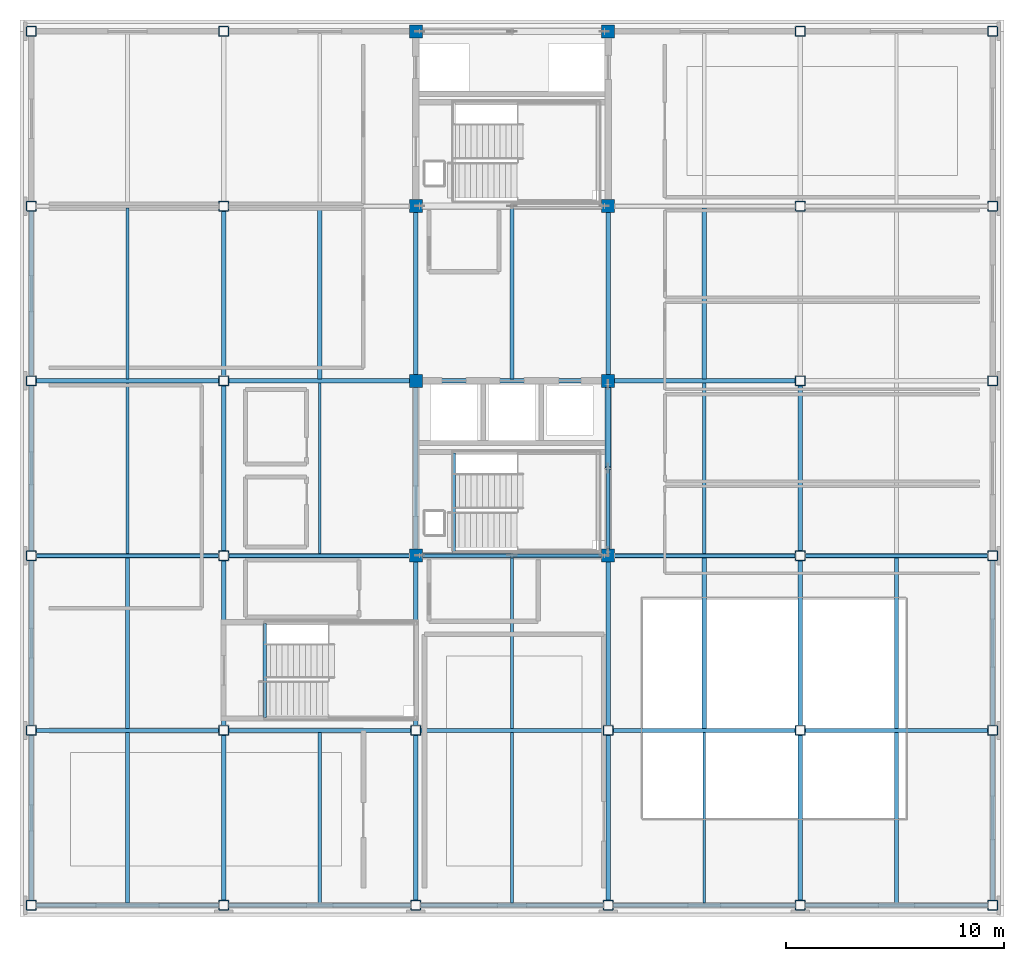
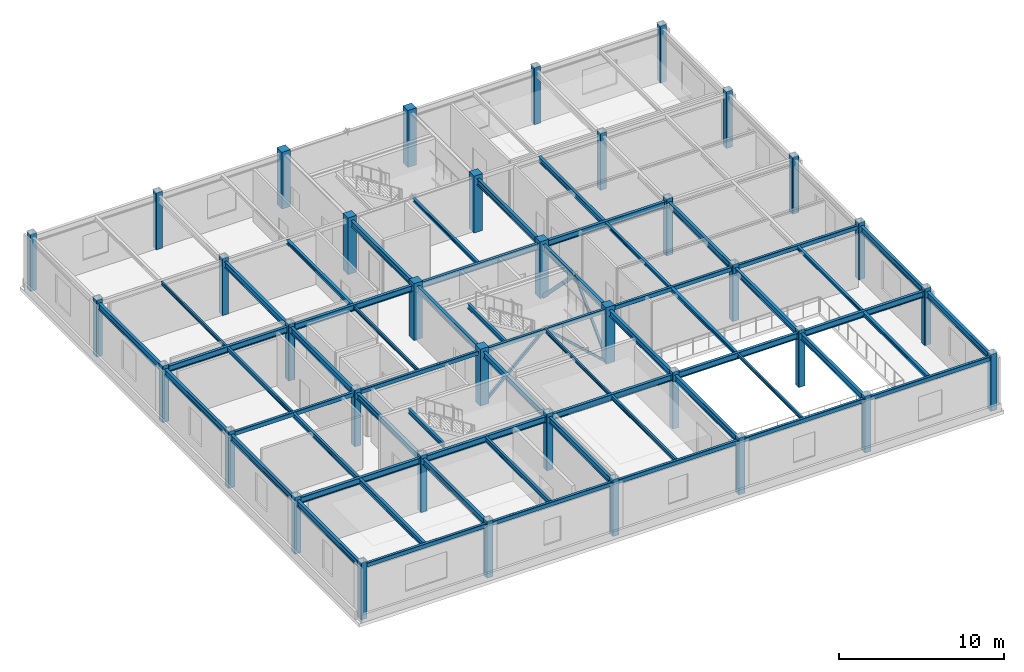
# One storey, part 1 of 18: 58 beams, 36 columns, 4 members.
"""IFC4 building model written with IfcOpenShell, lengths in metres."""

from ifc_helpers import new_model, si_unit, direction, frame, origin, origin_2d, place, context, subcontext, project, spatial, rectangle, hollow_rectangle, hollow_circle, i_section, extrude, material, material_profile, profile_set, type_object, element, save


model = new_model("IFC4")

# Units and contexts
model_context = context("Model", 3, precision=1e-05, world=origin(), true_north=direction((0.0, 1.0)))
body_context = subcontext(model_context, "Body", "Model", "MODEL_VIEW")
ifc_project = project(units=[si_unit("LENGTHUNIT", "METRE"), si_unit("AREAUNIT", "SQUARE_METRE"), si_unit("VOLUMEUNIT", "CUBIC_METRE"), si_unit("PLANEANGLEUNIT", "RADIAN"), si_unit("MASSUNIT", "GRAM", prefix="KILO")], contexts=[model_context])

# Site, building, storey
site_placement = place(None, origin())
site = spatial("IfcSite", under=ifc_project, at=site_placement, CompositionType="ELEMENT")
building_placement = place(site_placement, origin())
building = spatial("IfcBuilding", under=site, at=building_placement, Name="Zhaolan Boulevard Law Courts", CompositionType="ELEMENT")
storey_placement = place(building_placement, frame((0.0, 0.0, 33.0)))
storey = spatial("IfcBuildingStorey", under=building, at=storey_placement, Name="L07", CompositionType="ELEMENT", Elevation=33.0)

# Columns
ifc_material_1 = material(Name="Structural steel Q355B", Category="steel")
ifc_material_profile_1 = material_profile(ifc_material_1, hollow_rectangle(XDim=0.449951171875, YDim=0.449951171875, WallThickness=0.01806640625, InnerFilletRadius=0.01806640625, OuterFilletRadius=0.035888671875, at=origin_2d()), Name="BOX450x450x18")
ifc_profile_set_1 = profile_set([ifc_material_profile_1], Name="Structural steel Q355B")
column_type_1 = type_object("IfcColumnType", Name="COL BOX450", PredefinedType="COLUMN", material=ifc_profile_set_1)
for number, where, z_axis, x_axis, name in (
    (1, (0.0, 30.0, 0.0), (0.0, 0.0, 1.0), (1.0, 0.0, 0.0), "Column C-1E (L07)"),
    (2, (0.0, 38.0, 0.0), (0.0, 0.0, 1.0), (1.0, 0.0, 0.0), "Column C-1F (L07)"),
    (3, (0.0, 46.0, 0.0), (0.0, 0.0, 1.0), (1.0, 0.0, 0.0), "Column C-1G (L07)"),
    (4, (0.0, 54.0, 0.0), (0.0, 0.0, 1.0), (1.0, 0.0, 0.0), "Column C-1H (L07)"),
    (5, (0.0, 62.0, 0.0), (0.0, 0.0, 1.0), (1.0, 0.0, 0.0), "Column C-1J (L07)"),
    (6, (0.0, 70.0, 0.0), (0.0, 0.0, 1.0), (1.0, 0.0, 0.0), "Column C-1K (L07)"),
    (7, (8.800048828125, 30.0, 0.0), (0.0, 0.0, 1.0), (1.0, 0.0, 0.0), "Column C-2E (L07)"),
    (8, (8.800048828125, 38.0, 0.0), (0.0, 0.0, 1.0), (1.0, 0.0, 0.0), "Column C-2F (L07)"),
    (9, (8.800048828125, 46.0, 0.0), (0.0, 0.0, 1.0), (1.0, 0.0, 0.0), "Column C-2G (L07)"),
    (10, (8.800048828125, 54.0, 0.0), (0.0, 0.0, 1.0), (1.0, 0.0, 0.0), "Column C-2H (L07)"),
    (11, (8.800048828125, 62.0, 0.0), (0.0, 0.0, 1.0), (1.0, 0.0, 0.0), "Column C-2J (L07)"),
    (12, (8.800048828125, 70.0, 0.0), (0.0, 0.0, 1.0), (1.0, 0.0, 0.0), "Column C-2K (L07)"),
    (13, (17.60009765625, 30.0, 0.0), (0.0, 0.0, 1.0), (1.0, 0.0, 0.0), "Column C-3E (L07)"),
    (14, (17.60009765625, 38.0, 0.0), (0.0, 0.0, 1.0), (1.0, 0.0, 0.0), "Column C-3F (L07)"),
    (15, (26.39990234375, 30.0, 0.0), (0.0, 0.0, 1.0), (1.0, 0.0, 0.0), "Column C-4E (L07)"),
    (16, (26.39990234375, 38.0, 0.0), (0.0, 0.0, 1.0), (1.0, 0.0, 0.0), "Column C-4F (L07)"),
    (17, (35.199951171875, 30.0, 0.0), (0.0, 0.0, 1.0), (1.0, 0.0, 0.0), "Column C-5E (L07)"),
    (18, (35.199951171875, 38.0, 0.0), (0.0, 0.0, 1.0), (1.0, 0.0, 0.0), "Column C-5F (L07)"),
    (19, (35.199951171875, 46.0, 0.0), (0.0, 0.0, 1.0), (1.0, 0.0, 0.0), "Column C-5G (L07)"),
    (20, (35.199951171875, 54.0, 0.0), (0.0, 0.0, 1.0), (1.0, 0.0, 0.0), "Column C-5H (L07)"),
    (21, (35.199951171875, 62.0, 0.0), (0.0, 0.0, 1.0), (1.0, 0.0, 0.0), "Column C-5J (L07)"),
    (22, (35.199951171875, 70.0, 0.0), (0.0, 0.0, 1.0), (1.0, 0.0, 0.0), "Column C-5K (L07)"),
    (23, (44.0, 30.0, 0.0), (0.0, 0.0, 1.0), (1.0, 0.0, 0.0), "Column C-6E (L07)"),
    (24, (44.0, 38.0, 0.0), (0.0, 0.0, 1.0), (1.0, 0.0, 0.0), "Column C-6F (L07)"),
    (25, (44.0, 46.0, 0.0), (0.0, 0.0, 1.0), (1.0, 0.0, 0.0), "Column C-6G (L07)"),
    (26, (44.0, 54.0, 0.0), (0.0, 0.0, 1.0), (1.0, 0.0, 0.0), "Column C-6H (L07)"),
    (27, (44.0, 62.0, 0.0), (0.0, 0.0, 1.0), (1.0, 0.0, 0.0), "Column C-6J (L07)"),
    (28, (44.0, 70.0, 0.0), (0.0, 0.0, 1.0), (1.0, 0.0, 0.0), "Column C-6K (L07)"),
):
    element("IfcColumn", number, at=place(storey_placement, frame(where, z_axis=z_axis, x_axis=x_axis)), inside=storey, type_object=column_type_1, Name=name, PredefinedType="COLUMN", context=body_context, shape_type="SweptSolid", body=[
        extrude(hollow_rectangle(XDim=0.449951171875, YDim=0.449951171875, WallThickness=0.01806640625, InnerFilletRadius=0.01806640625, OuterFilletRadius=0.035888671875, at=origin_2d()), origin(), (0.0, 0.0, 1.0), 4.199951171875),
    ])
ifc_material_2 = material(Name="Concrete C50", Category="concrete")
ifc_material_profile_2 = material_profile(ifc_material_2, rectangle(XDim=0.60009765625, YDim=0.60009765625, at=origin_2d()), Name="RC600x600")
ifc_profile_set_2 = profile_set([ifc_material_profile_2], Name="Concrete C50")
column_type_2 = type_object("IfcColumnType", Name="COL RC600", PredefinedType="COLUMN", material=ifc_profile_set_2)
for number, where, z_axis, x_axis, name in (
    (29, (17.60009765625, 46.0, 0.0), (0.0, 0.0, 1.0), (1.0, 0.0, 0.0), "Column C-3G (L07)"),
    (30, (17.60009765625, 54.0, 0.0), (0.0, 0.0, 1.0), (1.0, 0.0, 0.0), "Column C-3H (L07)"),
    (31, (17.60009765625, 62.0, 0.0), (0.0, 0.0, 1.0), (1.0, 0.0, 0.0), "Column C-3J (L07)"),
    (32, (17.60009765625, 70.0, 0.0), (0.0, 0.0, 1.0), (1.0, 0.0, 0.0), "Column C-3K (L07)"),
    (33, (26.39990234375, 46.0, 0.0), (0.0, 0.0, 1.0), (1.0, 0.0, 0.0), "Column C-4G (L07)"),
    (34, (26.39990234375, 54.0, 0.0), (0.0, 0.0, 1.0), (1.0, 0.0, 0.0), "Column C-4H (L07)"),
    (35, (26.39990234375, 62.0, 0.0), (0.0, 0.0, 1.0), (1.0, 0.0, 0.0), "Column C-4J (L07)"),
    (36, (26.39990234375, 70.0, 0.0), (0.0, 0.0, 1.0), (1.0, 0.0, 0.0), "Column C-4K (L07)"),
):
    element("IfcColumn", number, at=place(storey_placement, frame(where, z_axis=z_axis, x_axis=x_axis)), inside=storey, type_object=column_type_2, Name=name, PredefinedType="COLUMN", context=body_context, shape_type="SweptSolid", body=[
        extrude(rectangle(XDim=0.60009765625, YDim=0.60009765625, at=origin_2d()), origin(), (0.0, 0.0, 1.0), 4.199951171875),
    ])

# Members
ifc_material_3 = material(Name="Structural steel Q355B", Category="steel")
ifc_material_profile_3 = material_profile(ifc_material_3, hollow_circle(Radius=0.136474609375, WallThickness=0.010009765625, at=origin_2d()), Name="CHS273x10")
ifc_profile_set_3 = profile_set([ifc_material_profile_3], Name="Structural steel Q355B")
member_type_1 = type_object("IfcMemberType", Name="BRACE CHS273", PredefinedType="BRACE", material=ifc_profile_set_3)
member_1_placement = place(storey_placement, frame((26.39990234375, 53.820068359375, 0.030029296875), z_axis=(0.0, -0.700674230962, 0.713481339676), x_axis=(1.0, 0.0, 0.0)))
element("IfcMember", 37, at=member_1_placement, inside=storey, type_object=member_type_1, Name="Core Brace BR-W1-L07-E2", PredefinedType="BRACE", context=body_context, shape_type="SweptSolid", body=[
    extrude(hollow_circle(Radius=0.136474609375, WallThickness=0.010009765625, at=origin_2d()), origin(), (0.0, 0.0, 1.0), 5.451904296875),
])
ifc_material_4 = material(Name="Structural steel Q355B", Category="steel")
ifc_material_profile_4 = material_profile(ifc_material_4, hollow_rectangle(XDim=0.159912109375, YDim=0.159912109375, WallThickness=0.008056640625, InnerFilletRadius=0.008056640625, OuterFilletRadius=0.01611328125, at=origin_2d()), Name="HSS160x160x8")
ifc_profile_set_4 = profile_set([ifc_material_profile_4], Name="Structural steel Q355B")
member_type_2 = type_object("IfcMemberType", Name="BRACE HSS160", PredefinedType="BRACE", material=ifc_profile_set_4)
member_2_placement = place(storey_placement, frame((26.219970703125, 46.0, 0.030029296875), z_axis=(-0.735277847563, 0.0, 0.677765805336), x_axis=(0.0, -1.0, 0.0)))
element("IfcMember", 38, at=member_2_placement, inside=storey, type_object=member_type_2, Name="Core Brace BR-W1-L07-S2", PredefinedType="BRACE", context=body_context, shape_type="SweptSolid", body=[
    extrude(hollow_rectangle(XDim=0.159912109375, YDim=0.159912109375, WallThickness=0.008056640625, InnerFilletRadius=0.008056640625, OuterFilletRadius=0.01611328125, at=origin_2d()), origin(), (0.0, 0.0, 1.0), 5.7392578125),
])
member_3_placement = place(storey_placement, frame((26.39990234375, 46.179931640625, 0.030029296875), z_axis=(0.0, 0.700674230962, 0.713481339676), x_axis=(-1.0, 0.0, 0.0)))
element("IfcMember", 39, at=member_3_placement, inside=storey, type_object=member_type_2, Name="Core Brace BR-W1-L07-E1", PredefinedType="BRACE", context=body_context, shape_type="SweptSolid", body=[
    extrude(hollow_rectangle(XDim=0.159912109375, YDim=0.159912109375, WallThickness=0.008056640625, InnerFilletRadius=0.008056640625, OuterFilletRadius=0.01611328125, at=origin_2d()), origin(), (0.0, 0.0, 1.0), 5.451904296875),
])
ifc_material_5 = material(Name="Structural steel Q355B", Category="steel")
ifc_material_profile_5 = material_profile(ifc_material_5, hollow_rectangle(XDim=0.179931640625, YDim=0.179931640625, WallThickness=0.008056640625, InnerFilletRadius=0.008056640625, OuterFilletRadius=0.01611328125, at=origin_2d()), Name="HSS180x180x8")
ifc_profile_set_5 = profile_set([ifc_material_profile_5], Name="Structural steel Q355B")
member_type_3 = type_object("IfcMemberType", Name="BRACE HSS180", PredefinedType="BRACE", material=ifc_profile_set_5)
member_4_placement = place(storey_placement, frame((17.780029296875, 46.0, 0.030029296875), z_axis=(0.735277847563, 0.0, 0.677765805336), x_axis=(0.0, 1.0, 0.0)))
element("IfcMember", 40, at=member_4_placement, inside=storey, type_object=member_type_3, Name="Core Brace BR-W1-L07-S1", PredefinedType="BRACE", context=body_context, shape_type="SweptSolid", body=[
    extrude(hollow_rectangle(XDim=0.179931640625, YDim=0.179931640625, WallThickness=0.008056640625, InnerFilletRadius=0.008056640625, OuterFilletRadius=0.01611328125, at=origin_2d()), origin(), (0.0, 0.0, 1.0), 5.7392578125),
])

# Beams
ifc_material_6 = material(Name="Structural steel Q355B", Category="steel")
ifc_material_profile_6 = material_profile(ifc_material_6, i_section(OverallWidth=0.199951171875, OverallDepth=0.449951171875, WebThickness=0.009033203125, FlangeThickness=0.013916015625, FilletRadius=0.01611328125, at=origin_2d()), Name="HN450x200")
ifc_profile_set_6 = profile_set([ifc_material_profile_6], Name="Structural steel Q355B")
beam_type_1 = type_object("IfcBeamType", Name="GIRDER HN450", PredefinedType="BEAM", material=ifc_profile_set_6)
beam_1_placement = place(storey_placement, frame((0.220947265625, 38.0, 3.722900390625), z_axis=(1.0, 0.0, 0.0), x_axis=(0.0, 1.0, 0.0)))
element("IfcBeam", 41, at=beam_1_placement, inside=storey, type_object=beam_type_1, Name="Beam BX-L08-1-2-F", PredefinedType="BEAM", context=body_context, shape_type="SweptSolid", body=[
    extrude(i_section(OverallWidth=0.199951171875, OverallDepth=0.449951171875, WebThickness=0.009033203125, FlangeThickness=0.013916015625, FilletRadius=0.01611328125, at=origin_2d()), origin(), (0.0, 0.0, 1.0), 8.358154296875),
])
for number, where, z_axis, x_axis, name in (
    (42, (9.02099609375, 38.0, 3.722900390625), (1.0, 0.0, 0.0), (0.0, 1.0, 0.0), "Beam BX-L08-2-3-F"),
    (43, (17.821044921875, 38.0, 3.722900390625), (1.0, 0.0, 0.0), (0.0, 1.0, 0.0), "Beam BX-L08-3-4-F"),
    (44, (26.62109375, 38.0, 3.722900390625), (1.0, 0.0, 0.0), (0.0, 1.0, 0.0), "Beam BX-L08-4-5-F"),
):
    element("IfcBeam", number, at=place(storey_placement, frame(where, z_axis=z_axis, x_axis=x_axis)), inside=storey, type_object=beam_type_1, Name=name, PredefinedType="BEAM", context=body_context, shape_type="SweptSolid", body=[
        extrude(i_section(OverallWidth=0.199951171875, OverallDepth=0.449951171875, WebThickness=0.009033203125, FlangeThickness=0.013916015625, FilletRadius=0.01611328125, at=origin_2d()), origin(), (0.0, 0.0, 1.0), 8.35791015625),
    ])
for number, where, z_axis, x_axis, name in (
    (45, (35.4208984375, 38.0, 3.722900390625), (1.0, 0.0, 0.0), (0.0, 1.0, 0.0), "Beam BX-L08-5-6-F"),
    (46, (0.220947265625, 54.0, 3.722900390625), (1.0, 0.0, 0.0), (0.0, 1.0, 0.0), "Beam BX-L08-1-2-H"),
):
    element("IfcBeam", number, at=place(storey_placement, frame(where, z_axis=z_axis, x_axis=x_axis)), inside=storey, type_object=beam_type_1, Name=name, PredefinedType="BEAM", context=body_context, shape_type="SweptSolid", body=[
        extrude(i_section(OverallWidth=0.199951171875, OverallDepth=0.449951171875, WebThickness=0.009033203125, FlangeThickness=0.013916015625, FilletRadius=0.01611328125, at=origin_2d()), origin(), (0.0, 0.0, 1.0), 8.358154296875),
    ])
beam_2_placement = place(storey_placement, frame((9.02099609375, 54.0, 3.722900390625), z_axis=(1.0, 0.0, 0.0), x_axis=(0.0, 1.0, 0.0)))
element("IfcBeam", 47, at=beam_2_placement, inside=storey, type_object=beam_type_1, Name="Beam BX-L08-2-3-H", PredefinedType="BEAM", context=body_context, shape_type="SweptSolid", body=[
    extrude(i_section(OverallWidth=0.199951171875, OverallDepth=0.449951171875, WebThickness=0.009033203125, FlangeThickness=0.013916015625, FilletRadius=0.01611328125, at=origin_2d()), origin(), (0.0, 0.0, 1.0), 8.282958984375),
])
beam_3_placement = place(storey_placement, frame((17.89599609375, 54.0, 3.722900390625), z_axis=(1.0, 0.0, 0.0), x_axis=(0.0, 1.0, 0.0)))
element("IfcBeam", 48, at=beam_3_placement, inside=storey, type_object=beam_type_1, Name="Beam BX-L08-3-4-H", PredefinedType="BEAM", context=body_context, shape_type="SweptSolid", body=[
    extrude(i_section(OverallWidth=0.199951171875, OverallDepth=0.449951171875, WebThickness=0.009033203125, FlangeThickness=0.013916015625, FilletRadius=0.01611328125, at=origin_2d()), origin(), (0.0, 0.0, 1.0), 8.2080078125),
])
beam_4_placement = place(storey_placement, frame((26.696044921875, 54.0, 3.722900390625), z_axis=(1.0, 0.0, 0.0), x_axis=(0.0, 1.0, 0.0)))
element("IfcBeam", 49, at=beam_4_placement, inside=storey, type_object=beam_type_1, Name="Beam BX-L08-4-5-H", PredefinedType="BEAM", context=body_context, shape_type="SweptSolid", body=[
    extrude(i_section(OverallWidth=0.199951171875, OverallDepth=0.449951171875, WebThickness=0.009033203125, FlangeThickness=0.013916015625, FilletRadius=0.01611328125, at=origin_2d()), origin(), (0.0, 0.0, 1.0), 8.282958984375),
])
for number, where, z_axis, x_axis, name in (
    (50, (0.0, 30.220947265625, 3.722900390625), (0.0, 1.0, 0.0), (-1.0, 0.0, 0.0), "Beam BY-L08-1-E-F"),
    (51, (0.0, 38.220947265625, 3.722900390625), (0.0, 1.0, 0.0), (-1.0, 0.0, 0.0), "Beam BY-L08-1-F-G"),
    (52, (0.0, 46.220947265625, 3.722900390625), (0.0, 1.0, 0.0), (-1.0, 0.0, 0.0), "Beam BY-L08-1-G-H"),
    (53, (0.0, 54.220947265625, 3.722900390625), (0.0, 1.0, 0.0), (-1.0, 0.0, 0.0), "Beam BY-L08-1-H-J"),
    (54, (8.800048828125, 30.220947265625, 3.722900390625), (0.0, 1.0, 0.0), (-1.0, 0.0, 0.0), "Beam BY-L08-2-E-F"),
    (55, (8.800048828125, 38.220947265625, 3.722900390625), (0.0, 1.0, 0.0), (-1.0, 0.0, 0.0), "Beam BY-L08-2-F-G"),
    (56, (8.800048828125, 46.220947265625, 3.722900390625), (0.0, 1.0, 0.0), (-1.0, 0.0, 0.0), "Beam BY-L08-2-G-H"),
    (57, (8.800048828125, 54.220947265625, 3.722900390625), (0.0, 1.0, 0.0), (-1.0, 0.0, 0.0), "Beam BY-L08-2-H-J"),
    (58, (17.60009765625, 30.220947265625, 3.722900390625), (0.0, 1.0, 0.0), (-1.0, 0.0, 0.0), "Beam BY-L08-3-E-F"),
):
    element("IfcBeam", number, at=place(storey_placement, frame(where, z_axis=z_axis, x_axis=x_axis)), inside=storey, type_object=beam_type_1, Name=name, PredefinedType="BEAM", context=body_context, shape_type="SweptSolid", body=[
        extrude(i_section(OverallWidth=0.199951171875, OverallDepth=0.449951171875, WebThickness=0.009033203125, FlangeThickness=0.013916015625, FilletRadius=0.01611328125, at=origin_2d()), origin(), (0.0, 0.0, 1.0), 7.55810546875),
    ])
beam_5_placement = place(storey_placement, frame((17.60009765625, 38.220947265625, 3.722900390625), z_axis=(0.0, 1.0, 0.0), x_axis=(-1.0, 0.0, 0.0)))
element("IfcBeam", 59, at=beam_5_placement, inside=storey, type_object=beam_type_1, Name="Beam BY-L08-3-F-G", PredefinedType="BEAM", context=body_context, shape_type="SweptSolid", body=[
    extrude(i_section(OverallWidth=0.199951171875, OverallDepth=0.449951171875, WebThickness=0.009033203125, FlangeThickness=0.013916015625, FilletRadius=0.01611328125, at=origin_2d()), origin(), (0.0, 0.0, 1.0), 7.483154296875),
])
for number, where, z_axis, x_axis, name in (
    (60, (17.60009765625, 46.2958984375, 3.722900390625), (0.0, 1.0, 0.0), (-1.0, 0.0, 0.0), "Beam BY-L08-3-G-H"),
    (61, (17.60009765625, 54.2958984375, 3.722900390625), (0.0, 1.0, 0.0), (-1.0, 0.0, 0.0), "Beam BY-L08-3-H-J"),
):
    element("IfcBeam", number, at=place(storey_placement, frame(where, z_axis=z_axis, x_axis=x_axis)), inside=storey, type_object=beam_type_1, Name=name, PredefinedType="BEAM", context=body_context, shape_type="SweptSolid", body=[
        extrude(i_section(OverallWidth=0.199951171875, OverallDepth=0.449951171875, WebThickness=0.009033203125, FlangeThickness=0.013916015625, FilletRadius=0.01611328125, at=origin_2d()), origin(), (0.0, 0.0, 1.0), 7.408203125),
    ])
beam_6_placement = place(storey_placement, frame((26.39990234375, 30.220947265625, 3.722900390625), z_axis=(0.0, 1.0, 0.0), x_axis=(-1.0, 0.0, 0.0)))
element("IfcBeam", 62, at=beam_6_placement, inside=storey, type_object=beam_type_1, Name="Beam BY-L08-4-E-F", PredefinedType="BEAM", context=body_context, shape_type="SweptSolid", body=[
    extrude(i_section(OverallWidth=0.199951171875, OverallDepth=0.449951171875, WebThickness=0.009033203125, FlangeThickness=0.013916015625, FilletRadius=0.01611328125, at=origin_2d()), origin(), (0.0, 0.0, 1.0), 7.55810546875),
])
beam_7_placement = place(storey_placement, frame((26.39990234375, 38.220947265625, 3.722900390625), z_axis=(0.0, 1.0, 0.0), x_axis=(-1.0, 0.0, 0.0)))
element("IfcBeam", 63, at=beam_7_placement, inside=storey, type_object=beam_type_1, Name="Beam BY-L08-4-F-G", PredefinedType="BEAM", context=body_context, shape_type="SweptSolid", body=[
    extrude(i_section(OverallWidth=0.199951171875, OverallDepth=0.449951171875, WebThickness=0.009033203125, FlangeThickness=0.013916015625, FilletRadius=0.01611328125, at=origin_2d()), origin(), (0.0, 0.0, 1.0), 7.483154296875),
])
for number, where, z_axis, x_axis, name in (
    (64, (26.39990234375, 46.2958984375, 3.722900390625), (0.0, 1.0, 0.0), (-1.0, 0.0, 0.0), "Beam BY-L08-4-G-H"),
    (65, (26.39990234375, 54.2958984375, 3.722900390625), (0.0, 1.0, 0.0), (-1.0, 0.0, 0.0), "Beam BY-L08-4-H-J"),
):
    element("IfcBeam", number, at=place(storey_placement, frame(where, z_axis=z_axis, x_axis=x_axis)), inside=storey, type_object=beam_type_1, Name=name, PredefinedType="BEAM", context=body_context, shape_type="SweptSolid", body=[
        extrude(i_section(OverallWidth=0.199951171875, OverallDepth=0.449951171875, WebThickness=0.009033203125, FlangeThickness=0.013916015625, FilletRadius=0.01611328125, at=origin_2d()), origin(), (0.0, 0.0, 1.0), 7.408203125),
    ])
for number, where, z_axis, x_axis, name in (
    (66, (35.199951171875, 30.220947265625, 3.722900390625), (0.0, 1.0, 0.0), (-1.0, 0.0, 0.0), "Beam BY-L08-5-E-F"),
    (67, (35.199951171875, 38.220947265625, 3.722900390625), (0.0, 1.0, 0.0), (-1.0, 0.0, 0.0), "Beam BY-L08-5-F-G"),
    (68, (35.199951171875, 46.220947265625, 3.722900390625), (0.0, 1.0, 0.0), (-1.0, 0.0, 0.0), "Beam BY-L08-5-G-H"),
    (69, (44.0, 30.220947265625, 3.722900390625), (0.0, 1.0, 0.0), (-1.0, 0.0, 0.0), "Beam BY-L08-6-E-F"),
    (70, (44.0, 38.220947265625, 3.722900390625), (0.0, 1.0, 0.0), (-1.0, 0.0, 0.0), "Beam BY-L08-6-F-G"),
):
    element("IfcBeam", number, at=place(storey_placement, frame(where, z_axis=z_axis, x_axis=x_axis)), inside=storey, type_object=beam_type_1, Name=name, PredefinedType="BEAM", context=body_context, shape_type="SweptSolid", body=[
        extrude(i_section(OverallWidth=0.199951171875, OverallDepth=0.449951171875, WebThickness=0.009033203125, FlangeThickness=0.013916015625, FilletRadius=0.01611328125, at=origin_2d()), origin(), (0.0, 0.0, 1.0), 7.55810546875),
    ])
ifc_material_7 = material(Name="Structural steel Q355B", Category="steel")
ifc_material_profile_7 = material_profile(ifc_material_7, i_section(OverallWidth=0.175048828125, OverallDepth=0.243896484375, WebThickness=0.007080078125, FlangeThickness=0.010986328125, FilletRadius=0.012939453125, at=origin_2d()), Name="HM244x175")
ifc_profile_set_7 = profile_set([ifc_material_profile_7], Name="Structural steel Q355B")
beam_type_2 = type_object("IfcBeamType", Name="JOIST HM244", PredefinedType="JOIST", material=ifc_profile_set_7)
for number, where, z_axis, x_axis, name in (
    (71, (22.0, 54.095947265625, 3.825927734375), (0.0, 1.0, 0.0), (-1.0, 0.0, 0.0), "Composite Joist J-L08-3H"),
    (72, (30.800048828125, 46.095947265625, 3.825927734375), (0.0, 1.0, 0.0), (-1.0, 0.0, 0.0), "Composite Joist J-L08-4G"),
    (73, (39.60009765625, 38.095947265625, 3.825927734375), (0.0, 1.0, 0.0), (-1.0, 0.0, 0.0), "Composite Joist J-L08-5F"),
):
    element("IfcBeam", number, at=place(storey_placement, frame(where, z_axis=z_axis, x_axis=x_axis)), inside=storey, type_object=beam_type_2, Name=name, PredefinedType="JOIST", context=body_context, shape_type="SweptSolid", body=[
        extrude(i_section(OverallWidth=0.175048828125, OverallDepth=0.243896484375, WebThickness=0.007080078125, FlangeThickness=0.010986328125, FilletRadius=0.012939453125, at=origin_2d()), origin(), (0.0, 0.0, 1.0), 7.80810546875),
    ])
ifc_material_8 = material(Name="Structural steel Q355B", Category="steel")
ifc_material_profile_8 = material_profile(ifc_material_8, i_section(OverallWidth=0.199951171875, OverallDepth=0.2939453125, WebThickness=0.008056640625, FlangeThickness=0.011962890625, FilletRadius=0.01611328125, at=origin_2d()), Name="HM294x200")
ifc_profile_set_8 = profile_set([ifc_material_profile_8], Name="Structural steel Q355B")
beam_type_3 = type_object("IfcBeamType", Name="JOIST HM294", PredefinedType="JOIST", material=ifc_profile_set_8)
for number, where, z_axis, x_axis, name in (
    (74, (13.199951171875, 54.095947265625, 3.801025390625), (0.0, 1.0, 0.0), (-1.0, 0.0, 0.0), "Composite Joist J-L08-2H"),
    (75, (30.800048828125, 38.095947265625, 3.801025390625), (0.0, 1.0, 0.0), (-1.0, 0.0, 0.0), "Composite Joist J-L08-4F"),
    (76, (39.60009765625, 30.095947265625, 3.801025390625), (0.0, 1.0, 0.0), (-1.0, 0.0, 0.0), "Composite Joist J-L08-5E"),
):
    element("IfcBeam", number, at=place(storey_placement, frame(where, z_axis=z_axis, x_axis=x_axis)), inside=storey, type_object=beam_type_3, Name=name, PredefinedType="JOIST", context=body_context, shape_type="SweptSolid", body=[
        extrude(i_section(OverallWidth=0.199951171875, OverallDepth=0.2939453125, WebThickness=0.008056640625, FlangeThickness=0.011962890625, FilletRadius=0.01611328125, at=origin_2d()), origin(), (0.0, 0.0, 1.0), 7.80810546875),
    ])
ifc_material_9 = material(Name="Structural steel Q355B", Category="steel")
ifc_material_profile_9 = material_profile(ifc_material_9, i_section(OverallWidth=0.125, OverallDepth=0.25, WebThickness=0.006103515625, FlangeThickness=0.009033203125, FilletRadius=0.010009765625, at=origin_2d()), Name="HN250x125")
ifc_profile_set_9 = profile_set([ifc_material_profile_9], Name="Structural steel Q355B")
beam_type_4 = type_object("IfcBeamType", Name="JOIST HN250", PredefinedType="JOIST", material=ifc_profile_set_9)
for number, where, z_axis, x_axis, name in (
    (77, (4.39990234375, 54.095947265625, 3.822998046875), (0.0, 1.0, 0.0), (-1.0, 0.0, 0.0), "Composite Joist J-L08-1H"),
    (78, (13.199951171875, 46.095947265625, 3.822998046875), (0.0, 1.0, 0.0), (-1.0, 0.0, 0.0), "Composite Joist J-L08-2G"),
    (79, (22.0, 38.095947265625, 3.822998046875), (0.0, 1.0, 0.0), (-1.0, 0.0, 0.0), "Composite Joist J-L08-3F"),
    (80, (30.800048828125, 30.095947265625, 3.822998046875), (0.0, 1.0, 0.0), (-1.0, 0.0, 0.0), "Composite Joist J-L08-4E"),
):
    element("IfcBeam", number, at=place(storey_placement, frame(where, z_axis=z_axis, x_axis=x_axis)), inside=storey, type_object=beam_type_4, Name=name, PredefinedType="JOIST", context=body_context, shape_type="SweptSolid", body=[
        extrude(i_section(OverallWidth=0.125, OverallDepth=0.25, WebThickness=0.006103515625, FlangeThickness=0.009033203125, FilletRadius=0.010009765625, at=origin_2d()), origin(), (0.0, 0.0, 1.0), 7.80810546875),
    ])
ifc_material_10 = material(Name="Structural steel Q355B", Category="steel")
ifc_material_profile_10 = material_profile(ifc_material_10, i_section(OverallWidth=0.14990234375, OverallDepth=0.300048828125, WebThickness=0.006591796875, FlangeThickness=0.009033203125, FilletRadius=0.010986328125, at=origin_2d()), Name="HN300x150")
ifc_profile_set_10 = profile_set([ifc_material_profile_10], Name="Structural steel Q355B")
beam_type_5 = type_object("IfcBeamType", Name="JOIST HN300", PredefinedType="JOIST", material=ifc_profile_set_10)
for number, where, z_axis, x_axis, name in (
    (81, (4.39990234375, 46.095947265625, 3.798095703125), (0.0, 1.0, 0.0), (-1.0, 0.0, 0.0), "Composite Joist J-L08-1G"),
    (82, (22.0, 30.095947265625, 3.798095703125), (0.0, 1.0, 0.0), (-1.0, 0.0, 0.0), "Composite Joist J-L08-3E"),
):
    element("IfcBeam", number, at=place(storey_placement, frame(where, z_axis=z_axis, x_axis=x_axis)), inside=storey, type_object=beam_type_5, Name=name, PredefinedType="JOIST", context=body_context, shape_type="SweptSolid", body=[
        extrude(i_section(OverallWidth=0.14990234375, OverallDepth=0.300048828125, WebThickness=0.006591796875, FlangeThickness=0.009033203125, FilletRadius=0.010986328125, at=origin_2d()), origin(), (0.0, 0.0, 1.0), 7.80810546875),
    ])
ifc_material_11 = material(Name="Structural steel Q355B", Category="steel")
ifc_material_profile_11 = material_profile(ifc_material_11, i_section(OverallWidth=0.175048828125, OverallDepth=0.35009765625, WebThickness=0.007080078125, FlangeThickness=0.010986328125, FilletRadius=0.012939453125, at=origin_2d()), Name="HN350x175")
ifc_profile_set_11 = profile_set([ifc_material_profile_11], Name="Structural steel Q355B")
beam_type_6 = type_object("IfcBeamType", Name="JOIST HN350", PredefinedType="JOIST", material=ifc_profile_set_11)
for number, where, z_axis, x_axis, name in (
    (83, (4.39990234375, 38.095947265625, 3.77294921875), (0.0, 1.0, 0.0), (-1.0, 0.0, 0.0), "Composite Joist J-L08-1F"),
    (84, (13.199951171875, 30.095947265625, 3.77294921875), (0.0, 1.0, 0.0), (-1.0, 0.0, 0.0), "Composite Joist J-L08-2E"),
):
    element("IfcBeam", number, at=place(storey_placement, frame(where, z_axis=z_axis, x_axis=x_axis)), inside=storey, type_object=beam_type_6, Name=name, PredefinedType="JOIST", context=body_context, shape_type="SweptSolid", body=[
        extrude(i_section(OverallWidth=0.175048828125, OverallDepth=0.35009765625, WebThickness=0.007080078125, FlangeThickness=0.010986328125, FilletRadius=0.012939453125, at=origin_2d()), origin(), (0.0, 0.0, 1.0), 7.80810546875),
    ])
ifc_material_12 = material(Name="Structural steel Q355B", Category="steel")
ifc_material_profile_12 = material_profile(ifc_material_12, i_section(OverallWidth=0.199951171875, OverallDepth=0.39990234375, WebThickness=0.008056640625, FlangeThickness=0.012939453125, FilletRadius=0.013916015625, at=origin_2d()), Name="HN400x200")
ifc_profile_set_12 = profile_set([ifc_material_profile_12], Name="Structural steel Q355B")
beam_type_7 = type_object("IfcBeamType", Name="JOIST HN400", PredefinedType="JOIST", material=ifc_profile_set_12)
for number, where, z_axis, x_axis, name in (
    (85, (4.39990234375, 30.095947265625, 3.748046875), (0.0, 1.0, 0.0), (-1.0, 0.0, 0.0), "Composite Joist J-L08-1E"),
    (86, (30.800048828125, 54.095947265625, 3.748046875), (0.0, 1.0, 0.0), (-1.0, 0.0, 0.0), "Composite Joist J-L08-4H"),
):
    element("IfcBeam", number, at=place(storey_placement, frame(where, z_axis=z_axis, x_axis=x_axis)), inside=storey, type_object=beam_type_7, Name=name, PredefinedType="JOIST", context=body_context, shape_type="SweptSolid", body=[
        extrude(i_section(OverallWidth=0.199951171875, OverallDepth=0.39990234375, WebThickness=0.008056640625, FlangeThickness=0.012939453125, FilletRadius=0.013916015625, at=origin_2d()), origin(), (0.0, 0.0, 1.0), 7.80810546875),
    ])
ifc_material_13 = material(Name="Structural steel Q355B", Category="steel")
ifc_material_profile_13 = material_profile(ifc_material_13, hollow_rectangle(XDim=0.199951171875, YDim=0.300048828125, WallThickness=0.011962890625, InnerFilletRadius=0.011962890625, OuterFilletRadius=0.02392578125, at=origin_2d()), Name="HSS300x200x12")
ifc_profile_set_13 = profile_set([ifc_material_profile_13], Name="Structural steel Q355B")
beam_type_8 = type_object("IfcBeamType", Name="SPANDREL HSS300", PredefinedType="SPANDREL", material=ifc_profile_set_13)
beam_8_placement = place(storey_placement, frame((0.220947265625, 30.0, 3.798095703125), z_axis=(1.0, 0.0, 0.0), x_axis=(0.0, 1.0, 0.0)))
element("IfcBeam", 87, at=beam_8_placement, inside=storey, type_object=beam_type_8, Name="Beam BX-L08-1-2-E", PredefinedType="SPANDREL", context=body_context, shape_type="SweptSolid", body=[
    extrude(hollow_rectangle(XDim=0.199951171875, YDim=0.300048828125, WallThickness=0.011962890625, InnerFilletRadius=0.011962890625, OuterFilletRadius=0.02392578125, at=origin_2d()), origin(), (0.0, 0.0, 1.0), 8.358154296875),
])
for number, where, z_axis, x_axis, name in (
    (88, (9.02099609375, 30.0, 3.798095703125), (1.0, 0.0, 0.0), (0.0, 1.0, 0.0), "Beam BX-L08-2-3-E"),
    (89, (17.821044921875, 30.0, 3.798095703125), (1.0, 0.0, 0.0), (0.0, 1.0, 0.0), "Beam BX-L08-3-4-E"),
    (90, (26.62109375, 30.0, 3.798095703125), (1.0, 0.0, 0.0), (0.0, 1.0, 0.0), "Beam BX-L08-4-5-E"),
):
    element("IfcBeam", number, at=place(storey_placement, frame(where, z_axis=z_axis, x_axis=x_axis)), inside=storey, type_object=beam_type_8, Name=name, PredefinedType="SPANDREL", context=body_context, shape_type="SweptSolid", body=[
        extrude(hollow_rectangle(XDim=0.199951171875, YDim=0.300048828125, WallThickness=0.011962890625, InnerFilletRadius=0.011962890625, OuterFilletRadius=0.02392578125, at=origin_2d()), origin(), (0.0, 0.0, 1.0), 8.35791015625),
    ])
for number, where, z_axis, x_axis, name in (
    (91, (35.4208984375, 30.0, 3.798095703125), (1.0, 0.0, 0.0), (0.0, 1.0, 0.0), "Beam BX-L08-5-6-E"),
    (92, (0.220947265625, 46.0, 3.798095703125), (1.0, 0.0, 0.0), (0.0, 1.0, 0.0), "Beam BX-L08-1-2-G"),
):
    element("IfcBeam", number, at=place(storey_placement, frame(where, z_axis=z_axis, x_axis=x_axis)), inside=storey, type_object=beam_type_8, Name=name, PredefinedType="SPANDREL", context=body_context, shape_type="SweptSolid", body=[
        extrude(hollow_rectangle(XDim=0.199951171875, YDim=0.300048828125, WallThickness=0.011962890625, InnerFilletRadius=0.011962890625, OuterFilletRadius=0.02392578125, at=origin_2d()), origin(), (0.0, 0.0, 1.0), 8.358154296875),
    ])
beam_9_placement = place(storey_placement, frame((9.02099609375, 46.0, 3.798095703125), z_axis=(1.0, 0.0, 0.0), x_axis=(0.0, 1.0, 0.0)))
element("IfcBeam", 93, at=beam_9_placement, inside=storey, type_object=beam_type_8, Name="Beam BX-L08-2-3-G", PredefinedType="SPANDREL", context=body_context, shape_type="SweptSolid", body=[
    extrude(hollow_rectangle(XDim=0.199951171875, YDim=0.300048828125, WallThickness=0.011962890625, InnerFilletRadius=0.011962890625, OuterFilletRadius=0.02392578125, at=origin_2d()), origin(), (0.0, 0.0, 1.0), 8.282958984375),
])
beam_10_placement = place(storey_placement, frame((17.89599609375, 46.0, 3.798095703125), z_axis=(1.0, 0.0, 0.0), x_axis=(0.0, 1.0, 0.0)))
element("IfcBeam", 94, at=beam_10_placement, inside=storey, type_object=beam_type_8, Name="Beam BX-L08-3-4-G", PredefinedType="SPANDREL", context=body_context, shape_type="SweptSolid", body=[
    extrude(hollow_rectangle(XDim=0.199951171875, YDim=0.300048828125, WallThickness=0.011962890625, InnerFilletRadius=0.011962890625, OuterFilletRadius=0.02392578125, at=origin_2d()), origin(), (0.0, 0.0, 1.0), 8.2080078125),
])
beam_11_placement = place(storey_placement, frame((26.696044921875, 46.0, 3.798095703125), z_axis=(1.0, 0.0, 0.0), x_axis=(0.0, 1.0, 0.0)))
element("IfcBeam", 95, at=beam_11_placement, inside=storey, type_object=beam_type_8, Name="Beam BX-L08-4-5-G", PredefinedType="SPANDREL", context=body_context, shape_type="SweptSolid", body=[
    extrude(hollow_rectangle(XDim=0.199951171875, YDim=0.300048828125, WallThickness=0.011962890625, InnerFilletRadius=0.011962890625, OuterFilletRadius=0.02392578125, at=origin_2d()), origin(), (0.0, 0.0, 1.0), 8.282958984375),
])
beam_12_placement = place(storey_placement, frame((35.4208984375, 46.0, 3.798095703125), z_axis=(1.0, 0.0, 0.0), x_axis=(0.0, 1.0, 0.0)))
element("IfcBeam", 96, at=beam_12_placement, inside=storey, type_object=beam_type_8, Name="Beam BX-L08-5-6-G", PredefinedType="SPANDREL", context=body_context, shape_type="SweptSolid", body=[
    extrude(hollow_rectangle(XDim=0.199951171875, YDim=0.300048828125, WallThickness=0.011962890625, InnerFilletRadius=0.011962890625, OuterFilletRadius=0.02392578125, at=origin_2d()), origin(), (0.0, 0.0, 1.0), 8.358154296875),
])
ifc_material_14 = material(Name="Structural steel Q355B", Category="steel")
ifc_material_profile_14 = material_profile(ifc_material_14, i_section(OverallWidth=0.175048828125, OverallDepth=0.35009765625, WebThickness=0.007080078125, FlangeThickness=0.010986328125, FilletRadius=0.012939453125, at=origin_2d()), Name="HN350x175")
ifc_profile_set_14 = profile_set([ifc_material_profile_14], Name="Structural steel Q355B")
beam_type_9 = type_object("IfcBeamType", Name="STAIR TRIMMER HN350", PredefinedType="BEAM", material=ifc_profile_set_14)
beam_13_placement = place(storey_placement, frame((19.3349609375, 46.139892578125, 3.735107421875), z_axis=(0.0, 1.0, 0.0), x_axis=(-1.0, 0.0, 0.0)))
element("IfcBeam", 97, at=beam_13_placement, inside=storey, type_object=beam_type_9, Name="Stair Landing Trimmer Beam STB-ST01-L08", PredefinedType="BEAM", context=body_context, shape_type="SweptSolid", body=[
    extrude(i_section(OverallWidth=0.175048828125, OverallDepth=0.35009765625, WebThickness=0.007080078125, FlangeThickness=0.010986328125, FilletRadius=0.012939453125, at=origin_2d()), origin(), (0.0, 0.0, 1.0), 4.570068359375),
])
beam_14_placement = place(storey_placement, frame((10.68505859375, 38.60009765625, 3.735107421875), z_axis=(0.0, 1.0, 0.0), x_axis=(-1.0, 0.0, 0.0)))
element("IfcBeam", 98, at=beam_14_placement, inside=storey, type_object=beam_type_9, Name="Stair Landing Trimmer Beam STB-ST03-L08", PredefinedType="BEAM", context=body_context, shape_type="SweptSolid", body=[
    extrude(i_section(OverallWidth=0.175048828125, OverallDepth=0.35009765625, WebThickness=0.007080078125, FlangeThickness=0.010986328125, FilletRadius=0.012939453125, at=origin_2d()), origin(), (0.0, 0.0, 1.0), 4.2998046875),
])

save(model, "model.ifc")
